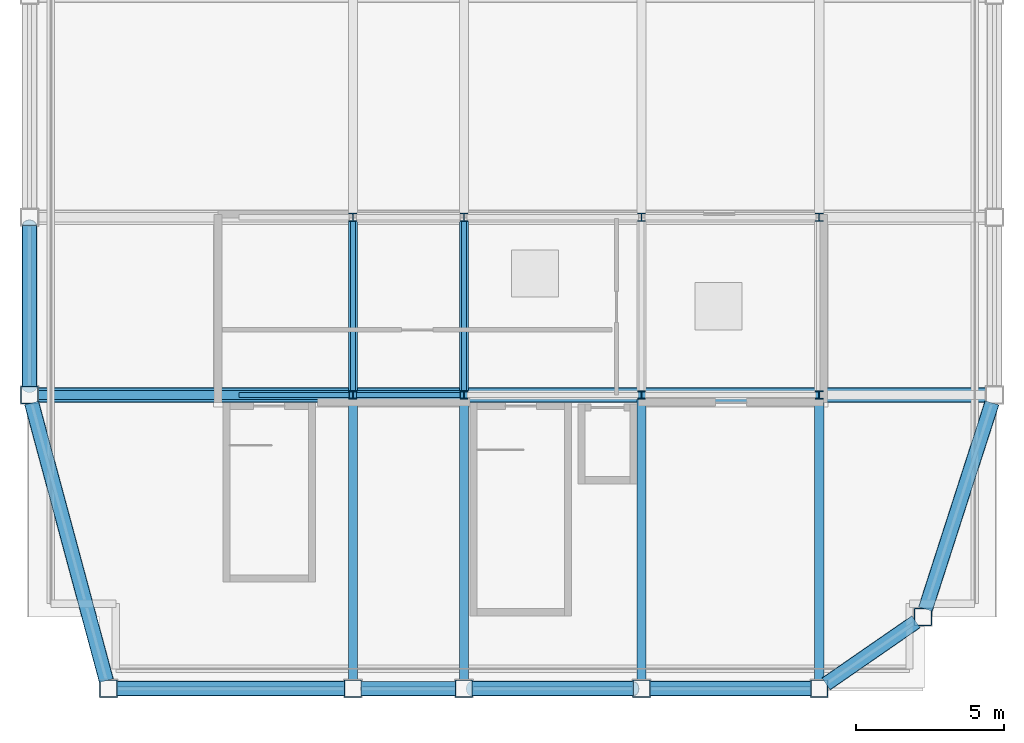
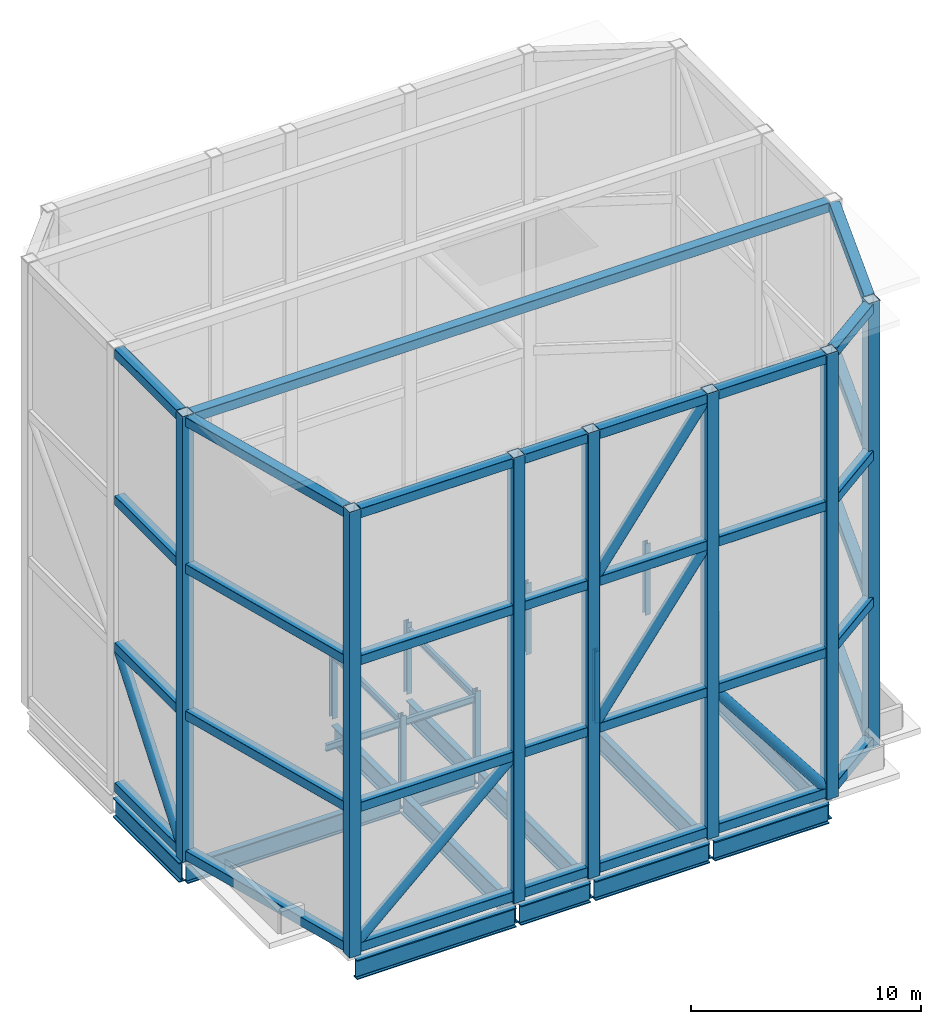
# One storey, part 1 of 6: 45 members, 17 beams, 8 columns.
"""IFC4 building model written with IfcOpenShell, lengths in metres."""

from ifc_helpers import new_model, si_unit, direction, frame, origin, origin_2d, place, context, subcontext, project, spatial, hollow_rectangle, hollow_circle, i_section, extrude, material, material_profile, profile_set, type_object, element, save


model = new_model("IFC4")

# Units and contexts
model_context = context("Model", 3, precision=1e-05, world=origin(), true_north=direction((0.0, 1.0)))
body_context = subcontext(model_context, "Body", "Model", "MODEL_VIEW")
ifc_project = project(units=[si_unit("LENGTHUNIT", "METRE"), si_unit("AREAUNIT", "SQUARE_METRE"), si_unit("VOLUMEUNIT", "CUBIC_METRE"), si_unit("PLANEANGLEUNIT", "RADIAN"), si_unit("MASSUNIT", "GRAM", prefix="KILO")], contexts=[model_context])

# Site, building, storey
site_placement = place(None, origin())
site = spatial("IfcSite", under=ifc_project, at=site_placement, CompositionType="ELEMENT")
building_placement = place(site_placement, origin())
building = spatial("IfcBuilding", under=site, at=building_placement, Name="Brevholm Reach", CompositionType="ELEMENT")
storey_placement = place(building_placement, frame((0.0, 0.0, 251.449951171875)))
storey = spatial("IfcBuildingStorey", under=building, at=storey_placement, Name="RF", CompositionType="ELEMENT", Elevation=251.449951171875)

# Columns
ifc_material_1 = material(Name="Structural Steel S355J2", Category="steel")
ifc_material_profile_1 = material_profile(ifc_material_1, i_section(OverallWidth=0.26123046875, OverallDepth=0.2763671875, WebThickness=0.015380859375, FlangeThickness=0.025390625, FilletRadius=0.0126953125, at=origin_2d()), Name="UKC 254x254x132")
ifc_profile_set_1 = profile_set([ifc_material_profile_1], Name="Structural Steel S355J2")
column_type = type_object("IfcColumnType", Name="COL-UC8", PredefinedType="COLUMN", material=ifc_profile_set_1)
for number, where, z_axis, x_axis, name in (
    (1, (38.25, 10.0, 0.0), (0.0, 0.0, 1.0), (1.0, 0.0, 0.0), "RF Column 01"),
    (2, (42.0, 10.0, 0.0), (0.0, 0.0, 1.0), (1.0, 0.0, 0.0), "RF Column 02"),
    (3, (48.0, 10.0, 0.0), (0.0, 0.0, 1.0), (1.0, 0.0, 0.0), "RF Column 03"),
    (4, (54.0, 10.0, 0.0), (0.0, 0.0, 1.0), (1.0, 0.0, 0.0), "RF Column 04"),
    (5, (38.25, 16.0, 0.0), (0.0, 0.0, 1.0), (1.0, 0.0, 0.0), "RF Column 05"),
    (6, (42.0, 16.0, 0.0), (0.0, 0.0, 1.0), (1.0, 0.0, 0.0), "RF Column 06"),
    (7, (48.0, 16.0, 0.0), (0.0, 0.0, 1.0), (1.0, 0.0, 0.0), "RF Column 07"),
    (8, (54.0, 16.0, 0.0), (0.0, 0.0, 1.0), (1.0, 0.0, 0.0), "RF Column 08"),
):
    element("IfcColumn", number, at=place(storey_placement, frame(where, z_axis=z_axis, x_axis=x_axis)), inside=storey, type_object=column_type, Name=name, PredefinedType="COLUMN", context=body_context, shape_type="SweptSolid", body=[
        extrude(i_section(OverallWidth=0.26123046875, OverallDepth=0.2763671875, WebThickness=0.015380859375, FlangeThickness=0.025390625, FilletRadius=0.0126953125, at=origin_2d()), origin(), (0.0, 0.0, 1.0), 3.800048828125),
    ])

# Beams
ifc_material_2 = material(Name="Structural Steel S355J2", Category="steel")
ifc_material_profile_2 = material_profile(ifc_material_2, i_section(OverallWidth=0.17138671875, OverallDepth=0.35498046875, WebThickness=0.00732421875, FlangeThickness=0.011474609375, FilletRadius=0.01025390625, at=origin_2d()), Name="UKB 356x171x51")
ifc_profile_set_2 = profile_set([ifc_material_profile_2], Name="Structural Steel S355J2")
beam_type_1 = type_object("IfcBeamType", Name="BM-B356", PredefinedType="BEAM", material=ifc_profile_set_2)
beam_1_placement = place(storey_placement, frame((34.39990234375, 10.0, 3.362548828125), z_axis=(1.0, 0.0, 0.0), x_axis=(0.0, 1.0, 0.0)))
element("IfcBeam", 9, at=beam_1_placement, inside=storey, type_object=beam_type_1, Name="RF Rooftop Plant House Roof Beam", PredefinedType="BEAM", context=body_context, shape_type="SweptSolid", body=[
    extrude(i_section(OverallWidth=0.17138671875, OverallDepth=0.35498046875, WebThickness=0.00732421875, FlangeThickness=0.011474609375, FilletRadius=0.01025390625, at=origin_2d()), origin(), (0.0, 0.0, 1.0), 3.72021484375),
])
beam_2_placement = place(storey_placement, frame((38.3798828125, 10.0, 3.362548828125), z_axis=(1.0, 0.0, 0.0), x_axis=(0.0, 1.0, 0.0)))
element("IfcBeam", 10, at=beam_2_placement, inside=storey, type_object=beam_type_1, Name="RF Rooftop Plant House Roof Beam", PredefinedType="BEAM", context=body_context, shape_type="SweptSolid", body=[
    extrude(i_section(OverallWidth=0.17138671875, OverallDepth=0.35498046875, WebThickness=0.00732421875, FlangeThickness=0.011474609375, FilletRadius=0.01025390625, at=origin_2d()), origin(), (0.0, 0.0, 1.0), 3.490234375),
])
for number, where, z_axis, x_axis, name in (
    (11, (38.25, 10.110107421875, 3.362548828125), (0.0, 1.0, 0.0), (-1.0, 0.0, 0.0), "RF Rooftop Plant House Transverse Beam"),
    (12, (42.0, 10.110107421875, 3.362548828125), (0.0, 1.0, 0.0), (-1.0, 0.0, 0.0), "RF Rooftop Plant House Transverse Beam"),
):
    element("IfcBeam", number, at=place(storey_placement, frame(where, z_axis=z_axis, x_axis=x_axis)), inside=storey, type_object=beam_type_1, Name=name, PredefinedType="BEAM", context=body_context, shape_type="SweptSolid", body=[
        extrude(i_section(OverallWidth=0.17138671875, OverallDepth=0.35498046875, WebThickness=0.00732421875, FlangeThickness=0.011474609375, FilletRadius=0.01025390625, at=origin_2d()), origin(), (0.0, 0.0, 1.0), 5.77978515625),
    ])
ifc_material_3 = material(Name="Structural Steel S460ML", Category="steel")
ifc_material_profile_3 = material_profile(ifc_material_3, i_section(OverallWidth=0.30859375, OverallDepth=1.036376953125, WebThickness=0.030029296875, FlangeThickness=0.05419921875, FilletRadius=0.030029296875, at=origin_2d()), Name="UKB 1016x305x487")
ifc_profile_set_3 = profile_set([ifc_material_profile_3], Name="Structural Steel S460ML")
beam_type_2 = type_object("IfcBeamType", Name="BM-UKB1016", PredefinedType="USERDEFINED", material=ifc_profile_set_3)
beam_3_placement = place(storey_placement, frame((30.1201171875, 0.0, -0.818115234375), z_axis=(1.0, 0.0, 0.0), x_axis=(0.0, 1.0, 0.0)))
element("IfcBeam", 13, at=beam_3_placement, inside=storey, type_object=beam_type_2, Name="RF G-01 Framing Beam", ObjectType="GIRDER", PredefinedType="USERDEFINED", context=body_context, shape_type="SweptSolid", body=[
    extrude(i_section(OverallWidth=0.30859375, OverallDepth=1.036376953125, WebThickness=0.030029296875, FlangeThickness=0.05419921875, FilletRadius=0.030029296875, at=origin_2d()), origin(), (0.0, 0.0, 1.0), 8.009765625),
])
beam_4_placement = place(storey_placement, frame((38.3701171875, 0.0, -0.818115234375), z_axis=(1.0, 0.0, 0.0), x_axis=(0.0, 1.0, 0.0)))
element("IfcBeam", 14, at=beam_4_placement, inside=storey, type_object=beam_type_2, Name="RF G-01 Framing Beam", ObjectType="GIRDER", PredefinedType="USERDEFINED", context=body_context, shape_type="SweptSolid", body=[
    extrude(i_section(OverallWidth=0.30859375, OverallDepth=1.036376953125, WebThickness=0.030029296875, FlangeThickness=0.05419921875, FilletRadius=0.030029296875, at=origin_2d()), origin(), (0.0, 0.0, 1.0), 3.509765625),
])
for number, where, z_axis, x_axis, name in (
    (15, (42.1201171875, 0.0, -0.818115234375), (1.0, 0.0, 0.0), (0.0, 1.0, 0.0), "RF G-01 Framing Beam"),
    (16, (48.1201171875, 0.0, -0.818115234375), (1.0, 0.0, 0.0), (0.0, 1.0, 0.0), "RF G-01 Framing Beam"),
):
    element("IfcBeam", number, at=place(storey_placement, frame(where, z_axis=z_axis, x_axis=x_axis)), inside=storey, type_object=beam_type_2, Name=name, ObjectType="GIRDER", PredefinedType="USERDEFINED", context=body_context, shape_type="SweptSolid", body=[
        extrude(i_section(OverallWidth=0.30859375, OverallDepth=1.036376953125, WebThickness=0.030029296875, FlangeThickness=0.05419921875, FilletRadius=0.030029296875, at=origin_2d()), origin(), (0.0, 0.0, 1.0), 5.759765625),
    ])
beam_5_placement = place(storey_placement, frame((27.3701171875, 10.0, -0.818115234375), z_axis=(1.0, 0.0, 0.0), x_axis=(0.0, 1.0, 0.0)))
element("IfcBeam", 17, at=beam_5_placement, inside=storey, type_object=beam_type_2, Name="RF G-01 Framing Beam", ObjectType="GIRDER", PredefinedType="USERDEFINED", context=body_context, shape_type="SweptSolid", body=[
    extrude(i_section(OverallWidth=0.30859375, OverallDepth=1.036376953125, WebThickness=0.030029296875, FlangeThickness=0.05419921875, FilletRadius=0.030029296875, at=origin_2d()), origin(), (0.0, 0.0, 1.0), 10.759765625),
])
beam_6_placement = place(storey_placement, frame((38.3701171875, 10.0, -0.818115234375), z_axis=(1.0, 0.0, 0.0), x_axis=(0.0, 1.0, 0.0)))
element("IfcBeam", 18, at=beam_6_placement, inside=storey, type_object=beam_type_2, Name="RF G-01 Framing Beam", ObjectType="GIRDER", PredefinedType="USERDEFINED", context=body_context, shape_type="SweptSolid", body=[
    extrude(i_section(OverallWidth=0.30859375, OverallDepth=1.036376953125, WebThickness=0.030029296875, FlangeThickness=0.05419921875, FilletRadius=0.030029296875, at=origin_2d()), origin(), (0.0, 0.0, 1.0), 3.509765625),
])
beam_7_placement = place(storey_placement, frame((27.25, 10.1201171875, -0.818115234375), z_axis=(0.0, 1.0, 0.0), x_axis=(-1.0, 0.0, 0.0)))
element("IfcBeam", 19, at=beam_7_placement, inside=storey, type_object=beam_type_2, Name="RF G-01 Framing Beam", ObjectType="GIRDER", PredefinedType="USERDEFINED", context=body_context, shape_type="SweptSolid", body=[
    extrude(i_section(OverallWidth=0.30859375, OverallDepth=1.036376953125, WebThickness=0.030029296875, FlangeThickness=0.05419921875, FilletRadius=0.030029296875, at=origin_2d()), origin(), (0.0, 0.0, 1.0), 5.759765625),
])
beam_8_placement = place(storey_placement, frame((38.25, 0.1201171875, -0.818115234375), z_axis=(0.0, 1.0, 0.0), x_axis=(-1.0, 0.0, 0.0)))
element("IfcBeam", 20, at=beam_8_placement, inside=storey, type_object=beam_type_2, Name="RF G-01 Framing Beam", ObjectType="GIRDER", PredefinedType="USERDEFINED", context=body_context, shape_type="SweptSolid", body=[
    extrude(i_section(OverallWidth=0.30859375, OverallDepth=1.036376953125, WebThickness=0.030029296875, FlangeThickness=0.05419921875, FilletRadius=0.030029296875, at=origin_2d()), origin(), (0.0, 0.0, 1.0), 9.759765625),
])
beam_9_placement = place(storey_placement, frame((38.25, 10.1201171875, -0.818115234375), z_axis=(0.0, 1.0, 0.0), x_axis=(-1.0, 0.0, 0.0)))
element("IfcBeam", 21, at=beam_9_placement, inside=storey, type_object=beam_type_2, Name="RF G-01 Framing Beam", ObjectType="GIRDER", PredefinedType="USERDEFINED", context=body_context, shape_type="SweptSolid", body=[
    extrude(i_section(OverallWidth=0.30859375, OverallDepth=1.036376953125, WebThickness=0.030029296875, FlangeThickness=0.05419921875, FilletRadius=0.030029296875, at=origin_2d()), origin(), (0.0, 0.0, 1.0), 5.759765625),
])
beam_10_placement = place(storey_placement, frame((42.0, 0.1201171875, -0.818115234375), z_axis=(0.0, 1.0, 0.0), x_axis=(-1.0, 0.0, 0.0)))
element("IfcBeam", 22, at=beam_10_placement, inside=storey, type_object=beam_type_2, Name="RF G-01 Framing Beam", ObjectType="GIRDER", PredefinedType="USERDEFINED", context=body_context, shape_type="SweptSolid", body=[
    extrude(i_section(OverallWidth=0.30859375, OverallDepth=1.036376953125, WebThickness=0.030029296875, FlangeThickness=0.05419921875, FilletRadius=0.030029296875, at=origin_2d()), origin(), (0.0, 0.0, 1.0), 9.759765625),
])
beam_11_placement = place(storey_placement, frame((42.0, 10.1201171875, -0.818115234375), z_axis=(0.0, 1.0, 0.0), x_axis=(-1.0, 0.0, 0.0)))
element("IfcBeam", 23, at=beam_11_placement, inside=storey, type_object=beam_type_2, Name="RF G-01 Framing Beam", ObjectType="GIRDER", PredefinedType="USERDEFINED", context=body_context, shape_type="SweptSolid", body=[
    extrude(i_section(OverallWidth=0.30859375, OverallDepth=1.036376953125, WebThickness=0.030029296875, FlangeThickness=0.05419921875, FilletRadius=0.030029296875, at=origin_2d()), origin(), (0.0, 0.0, 1.0), 5.759765625),
])
for number, where, z_axis, x_axis, name in (
    (24, (48.0, 0.1201171875, -0.818115234375), (0.0, 1.0, 0.0), (-1.0, 0.0, 0.0), "RF G-01 Framing Beam"),
    (25, (54.0, 0.1201171875, -0.818115234375), (0.0, 1.0, 0.0), (-1.0, 0.0, 0.0), "RF G-01 Framing Beam"),
):
    element("IfcBeam", number, at=place(storey_placement, frame(where, z_axis=z_axis, x_axis=x_axis)), inside=storey, type_object=beam_type_2, Name=name, ObjectType="GIRDER", PredefinedType="USERDEFINED", context=body_context, shape_type="SweptSolid", body=[
        extrude(i_section(OverallWidth=0.30859375, OverallDepth=1.036376953125, WebThickness=0.030029296875, FlangeThickness=0.05419921875, FilletRadius=0.030029296875, at=origin_2d()), origin(), (0.0, 0.0, 1.0), 9.759765625),
    ])

# Members
ifc_material_4 = material(Name="Structural Steel S460NH", Category="steel")
ifc_material_profile_4 = material_profile(ifc_material_4, hollow_circle(Radius=0.25390625, WallThickness=0.02490234375, at=origin_2d()), Name="CHS 508x25")
ifc_profile_set_4 = profile_set([ifc_material_profile_4], Name="Structural Steel S460NH")
member_type_1 = type_object("IfcMemberType", Name="CROWN FRAME Brace CHS 508", PredefinedType="BRACE", material=ifc_profile_set_4)
member_1_placement = place(storey_placement, frame((30.280029296875, 0.080078125, 0.580078125), z_axis=(0.739981530171, 0.0, 0.672627188721), x_axis=(0.0, 1.0, 0.0)))
element("IfcMember", 26, at=member_1_placement, inside=storey, type_object=member_type_1, Name="CROWN FRAME Wind Brace CFB-01", PredefinedType="BRACE", context=body_context, shape_type="SweptSolid", body=[
    extrude(hollow_circle(Radius=0.25390625, WallThickness=0.02490234375, at=origin_2d()), origin(), (0.0, 0.0, 1.0), 10.39208984375),
])
member_2_placement = place(storey_placement, frame((48.280029296875, 0.080078125, 7.570068359375), z_axis=(0.614171485161, 0.0, -0.78917259634), x_axis=(0.0, 1.0, 0.0)))
element("IfcMember", 27, at=member_2_placement, inside=storey, type_object=member_type_1, Name="CROWN FRAME Wind Brace CFB-02", PredefinedType="BRACE", context=body_context, shape_type="SweptSolid", body=[
    extrude(hollow_circle(Radius=0.25390625, WallThickness=0.02490234375, at=origin_2d()), origin(), (0.0, 0.0, 1.0), 8.857421875),
])
member_3_placement = place(storey_placement, frame((42.280029296875, 0.080078125, 8.030029296875), z_axis=(0.595428198484, 0.0, 0.803408526498), x_axis=(0.0, 1.0, 0.0)))
element("IfcMember", 28, at=member_3_placement, inside=storey, type_object=member_type_1, Name="CROWN FRAME Wind Brace CFB-03", PredefinedType="BRACE", context=body_context, shape_type="SweptSolid", body=[
    extrude(hollow_circle(Radius=0.25390625, WallThickness=0.02490234375, at=origin_2d()), origin(), (0.0, 0.0, 1.0), 9.13623046875),
])
member_4_placement = place(storey_placement, frame((42.280029296875, 0.080078125, 15.830078125), z_axis=(0.59491718719, 0.0, 0.803786999388), x_axis=(0.0, 1.0, 0.0)))
element("IfcMember", 29, at=member_4_placement, inside=storey, type_object=member_type_1, Name="CROWN FRAME Wind Brace CFB-04", PredefinedType="BRACE", context=body_context, shape_type="SweptSolid", body=[
    extrude(hollow_circle(Radius=0.25390625, WallThickness=0.02490234375, at=origin_2d()), origin(), (0.0, 0.0, 1.0), 9.14404296875),
])
member_5_placement = place(storey_placement, frame((27.330078125, 10.280029296875, 0.580078125), z_axis=(0.0, 0.614171485161, 0.78917259634), x_axis=(-1.0, 0.0, 0.0)))
element("IfcMember", 30, at=member_5_placement, inside=storey, type_object=member_type_1, Name="CROWN FRAME Wind Brace CFB-11", PredefinedType="BRACE", context=body_context, shape_type="SweptSolid", body=[
    extrude(hollow_circle(Radius=0.25390625, WallThickness=0.02490234375, at=origin_2d()), origin(), (0.0, 0.0, 1.0), 8.857421875),
])
ifc_material_5 = material(Name="Structural Steel S460NH", Category="steel")
ifc_material_profile_5 = material_profile(ifc_material_5, hollow_rectangle(XDim=0.60009765625, YDim=0.60009765625, WallThickness=0.031982421875, InnerFilletRadius=0.011962890625, OuterFilletRadius=0.02392578125, at=origin_2d()), Name="SHS 600x600x32")
ifc_profile_set_5 = profile_set([ifc_material_profile_5], Name="Structural Steel S460NH")
member_type_2 = type_object("IfcMemberType", Name="CROWN FRAME Post SHS 600", PredefinedType="STRUT", material=ifc_profile_set_5)
for number, where, z_axis, x_axis, name in (
    (31, (30.0, 0.080078125, 0.0), (0.0, 0.0, 1.0), (1.0, 0.0, 0.0), "CROWN FRAME Vertical Post CFP-01"),
    (32, (38.25, 0.080078125, 0.0), (0.0, 0.0, 1.0), (1.0, 0.0, 0.0), "CROWN FRAME Vertical Post CFP-02"),
    (33, (42.0, 0.080078125, 0.0), (0.0, 0.0, 1.0), (1.0, 0.0, 0.0), "CROWN FRAME Vertical Post CFP-03"),
    (34, (48.0, 0.080078125, 0.0), (0.0, 0.0, 1.0), (1.0, 0.0, 0.0), "CROWN FRAME Vertical Post CFP-04"),
    (35, (54.0, 0.080078125, 0.0), (0.0, 0.0, 1.0), (1.0, 0.0, 0.0), "CROWN FRAME Vertical Post CFP-05"),
    (36, (57.5, 2.5, 0.0), (0.0, 0.0, 1.0), (1.0, 0.0, 0.0), "CROWN FRAME Vertical Post CFP-06"),
    (37, (27.330078125, 10.0, 0.0), (0.0, 0.0, 1.0), (1.0, 0.0, 0.0), "CROWN FRAME Vertical Post CFP-17"),
):
    element("IfcMember", number, at=place(storey_placement, frame(where, z_axis=z_axis, x_axis=x_axis)), inside=storey, type_object=member_type_2, Name=name, PredefinedType="STRUT", context=body_context, shape_type="SweptSolid", body=[
        extrude(hollow_rectangle(XDim=0.60009765625, YDim=0.60009765625, WallThickness=0.031982421875, InnerFilletRadius=0.011962890625, OuterFilletRadius=0.02392578125, at=origin_2d()), origin(), (0.0, 0.0, 1.0), 23.68994140625),
    ])
ifc_material_6 = material(Name="Structural Steel S460NH", Category="steel")
ifc_material_profile_6 = material_profile(ifc_material_6, hollow_rectangle(XDim=0.5, YDim=0.5, WallThickness=0.02490234375, InnerFilletRadius=0.011962890625, OuterFilletRadius=0.02392578125, at=origin_2d()), Name="SHS 500x500x25")
ifc_profile_set_6 = profile_set([ifc_material_profile_6], Name="Structural Steel S460NH")
member_type_3 = type_object("IfcMemberType", Name="CROWN FRAME Ring SHS 500", PredefinedType="CHORD", material=ifc_profile_set_6)
member_6_placement = place(storey_placement, frame((30.280029296875, 0.080078125, 0.35009765625), z_axis=(1.0, 0.0, 0.0), x_axis=(0.0, 1.0, 0.0)))
element("IfcMember", 38, at=member_6_placement, inside=storey, type_object=member_type_3, Name="CROWN FRAME Ring Chord T0-01", PredefinedType="CHORD", context=body_context, shape_type="SweptSolid", body=[
    extrude(hollow_rectangle(XDim=0.5, YDim=0.5, WallThickness=0.02490234375, InnerFilletRadius=0.011962890625, OuterFilletRadius=0.02392578125, at=origin_2d()), origin(), (0.0, 0.0, 1.0), 7.68994140625),
])
member_7_placement = place(storey_placement, frame((38.530029296875, 0.080078125, 0.35009765625), z_axis=(1.0, 0.0, 0.0), x_axis=(0.0, 1.0, 0.0)))
element("IfcMember", 39, at=member_7_placement, inside=storey, type_object=member_type_3, Name="CROWN FRAME Ring Chord T0-02", PredefinedType="CHORD", context=body_context, shape_type="SweptSolid", body=[
    extrude(hollow_rectangle(XDim=0.5, YDim=0.5, WallThickness=0.02490234375, InnerFilletRadius=0.011962890625, OuterFilletRadius=0.02392578125, at=origin_2d()), origin(), (0.0, 0.0, 1.0), 3.18994140625),
])
for number, where, z_axis, x_axis, name in (
    (40, (42.280029296875, 0.080078125, 0.35009765625), (1.0, 0.0, 0.0), (0.0, 1.0, 0.0), "CROWN FRAME Ring Chord T0-03"),
    (41, (48.280029296875, 0.080078125, 0.35009765625), (1.0, 0.0, 0.0), (0.0, 1.0, 0.0), "CROWN FRAME Ring Chord T0-04"),
):
    element("IfcMember", number, at=place(storey_placement, frame(where, z_axis=z_axis, x_axis=x_axis)), inside=storey, type_object=member_type_3, Name=name, PredefinedType="CHORD", context=body_context, shape_type="SweptSolid", body=[
        extrude(hollow_rectangle(XDim=0.5, YDim=0.5, WallThickness=0.02490234375, InnerFilletRadius=0.011962890625, OuterFilletRadius=0.02392578125, at=origin_2d()), origin(), (0.0, 0.0, 1.0), 5.43994140625),
    ])
member_8_placement = place(storey_placement, frame((54.230224609375, 0.2392578125, 0.35009765625), z_axis=(0.822539288968, 0.568708289111, 0.0), x_axis=(-0.568708289111, 0.822539288968, 0.0)))
element("IfcMember", 42, at=member_8_placement, inside=storey, type_object=member_type_3, Name="CROWN FRAME Ring Chord T0-05", PredefinedType="CHORD", context=body_context, shape_type="SweptSolid", body=[
    extrude(hollow_rectangle(XDim=0.5, YDim=0.5, WallThickness=0.02490234375, InnerFilletRadius=0.011962890625, OuterFilletRadius=0.02392578125, at=origin_2d()), origin(), (0.0, 0.0, 1.0), 3.6953125),
])
member_9_placement = place(storey_placement, frame((57.5859375, 2.7666015625, 0.35009765625), z_axis=(0.307088527321, 0.951680953045, 0.0), x_axis=(-0.951680953045, 0.307088527321, 0.0)))
element("IfcMember", 43, at=member_9_placement, inside=storey, type_object=member_type_3, Name="CROWN FRAME Ring Chord T0-06", PredefinedType="CHORD", context=body_context, shape_type="SweptSolid", body=[
    extrude(hollow_rectangle(XDim=0.5, YDim=0.5, WallThickness=0.02490234375, InnerFilletRadius=0.011962890625, OuterFilletRadius=0.02392578125, at=origin_2d()), origin(), (0.0, 0.0, 1.0), 7.320556640625),
])
member_10_placement = place(storey_placement, frame((27.330078125, 15.719970703125, 0.35009765625), z_axis=(0.0, -1.0, 0.0), x_axis=(1.0, 0.0, 0.0)))
element("IfcMember", 44, at=member_10_placement, inside=storey, type_object=member_type_3, Name="CROWN FRAME Ring Chord T0-16", PredefinedType="CHORD", context=body_context, shape_type="SweptSolid", body=[
    extrude(hollow_rectangle(XDim=0.5, YDim=0.5, WallThickness=0.02490234375, InnerFilletRadius=0.011962890625, OuterFilletRadius=0.02392578125, at=origin_2d()), origin(), (0.0, 0.0, 1.0), 5.43994140625),
])
member_11_placement = place(storey_placement, frame((27.40283203125, 9.7294921875, 0.35009765625), z_axis=(0.259902260943, -0.965634928302, 0.0), x_axis=(0.965634928302, 0.259902260943, 0.0)))
element("IfcMember", 45, at=member_11_placement, inside=storey, type_object=member_type_3, Name="CROWN FRAME Ring Chord T0-17", PredefinedType="CHORD", context=body_context, shape_type="SweptSolid", body=[
    extrude(hollow_rectangle(XDim=0.5, YDim=0.5, WallThickness=0.02490234375, InnerFilletRadius=0.011962890625, OuterFilletRadius=0.02392578125, at=origin_2d()), origin(), (0.0, 0.0, 1.0), 9.712890625),
])
member_12_placement = place(storey_placement, frame((30.280029296875, 0.080078125, 7.800048828125), z_axis=(1.0, 0.0, 0.0), x_axis=(0.0, 1.0, 0.0)))
element("IfcMember", 46, at=member_12_placement, inside=storey, type_object=member_type_3, Name="CROWN FRAME Ring Chord T1-01", PredefinedType="CHORD", context=body_context, shape_type="SweptSolid", body=[
    extrude(hollow_rectangle(XDim=0.5, YDim=0.5, WallThickness=0.02490234375, InnerFilletRadius=0.011962890625, OuterFilletRadius=0.02392578125, at=origin_2d()), origin(), (0.0, 0.0, 1.0), 7.68994140625),
])
member_13_placement = place(storey_placement, frame((38.530029296875, 0.080078125, 7.800048828125), z_axis=(1.0, 0.0, 0.0), x_axis=(0.0, 1.0, 0.0)))
element("IfcMember", 47, at=member_13_placement, inside=storey, type_object=member_type_3, Name="CROWN FRAME Ring Chord T1-02", PredefinedType="CHORD", context=body_context, shape_type="SweptSolid", body=[
    extrude(hollow_rectangle(XDim=0.5, YDim=0.5, WallThickness=0.02490234375, InnerFilletRadius=0.011962890625, OuterFilletRadius=0.02392578125, at=origin_2d()), origin(), (0.0, 0.0, 1.0), 3.18994140625),
])
for number, where, z_axis, x_axis, name in (
    (48, (42.280029296875, 0.080078125, 7.800048828125), (1.0, 0.0, 0.0), (0.0, 1.0, 0.0), "CROWN FRAME Ring Chord T1-03"),
    (49, (48.280029296875, 0.080078125, 7.800048828125), (1.0, 0.0, 0.0), (0.0, 1.0, 0.0), "CROWN FRAME Ring Chord T1-04"),
):
    element("IfcMember", number, at=place(storey_placement, frame(where, z_axis=z_axis, x_axis=x_axis)), inside=storey, type_object=member_type_3, Name=name, PredefinedType="CHORD", context=body_context, shape_type="SweptSolid", body=[
        extrude(hollow_rectangle(XDim=0.5, YDim=0.5, WallThickness=0.02490234375, InnerFilletRadius=0.011962890625, OuterFilletRadius=0.02392578125, at=origin_2d()), origin(), (0.0, 0.0, 1.0), 5.43994140625),
    ])
member_14_placement = place(storey_placement, frame((54.230224609375, 0.2392578125, 7.800048828125), z_axis=(0.822539288968, 0.568708289111, 0.0), x_axis=(-0.568708289111, 0.822539288968, 0.0)))
element("IfcMember", 50, at=member_14_placement, inside=storey, type_object=member_type_3, Name="CROWN FRAME Ring Chord T1-05", PredefinedType="CHORD", context=body_context, shape_type="SweptSolid", body=[
    extrude(hollow_rectangle(XDim=0.5, YDim=0.5, WallThickness=0.02490234375, InnerFilletRadius=0.011962890625, OuterFilletRadius=0.02392578125, at=origin_2d()), origin(), (0.0, 0.0, 1.0), 3.6953125),
])
member_15_placement = place(storey_placement, frame((57.5859375, 2.7666015625, 7.800048828125), z_axis=(0.307088527321, 0.951680953045, 0.0), x_axis=(-0.951680953045, 0.307088527321, 0.0)))
element("IfcMember", 51, at=member_15_placement, inside=storey, type_object=member_type_3, Name="CROWN FRAME Ring Chord T1-06", PredefinedType="CHORD", context=body_context, shape_type="SweptSolid", body=[
    extrude(hollow_rectangle(XDim=0.5, YDim=0.5, WallThickness=0.02490234375, InnerFilletRadius=0.011962890625, OuterFilletRadius=0.02392578125, at=origin_2d()), origin(), (0.0, 0.0, 1.0), 7.320556640625),
])
member_16_placement = place(storey_placement, frame((27.330078125, 15.719970703125, 7.800048828125), z_axis=(0.0, -1.0, 0.0), x_axis=(1.0, 0.0, 0.0)))
element("IfcMember", 52, at=member_16_placement, inside=storey, type_object=member_type_3, Name="CROWN FRAME Ring Chord T1-16", PredefinedType="CHORD", context=body_context, shape_type="SweptSolid", body=[
    extrude(hollow_rectangle(XDim=0.5, YDim=0.5, WallThickness=0.02490234375, InnerFilletRadius=0.011962890625, OuterFilletRadius=0.02392578125, at=origin_2d()), origin(), (0.0, 0.0, 1.0), 5.43994140625),
])
member_17_placement = place(storey_placement, frame((27.40283203125, 9.7294921875, 7.800048828125), z_axis=(0.259902260943, -0.965634928302, 0.0), x_axis=(0.965634928302, 0.259902260943, 0.0)))
element("IfcMember", 53, at=member_17_placement, inside=storey, type_object=member_type_3, Name="CROWN FRAME Ring Chord T1-17", PredefinedType="CHORD", context=body_context, shape_type="SweptSolid", body=[
    extrude(hollow_rectangle(XDim=0.5, YDim=0.5, WallThickness=0.02490234375, InnerFilletRadius=0.011962890625, OuterFilletRadius=0.02392578125, at=origin_2d()), origin(), (0.0, 0.0, 1.0), 9.712890625),
])
member_18_placement = place(storey_placement, frame((30.280029296875, 0.080078125, 15.60009765625), z_axis=(1.0, 0.0, 0.0), x_axis=(0.0, 1.0, 0.0)))
element("IfcMember", 54, at=member_18_placement, inside=storey, type_object=member_type_3, Name="CROWN FRAME Ring Chord T2-01", PredefinedType="CHORD", context=body_context, shape_type="SweptSolid", body=[
    extrude(hollow_rectangle(XDim=0.5, YDim=0.5, WallThickness=0.02490234375, InnerFilletRadius=0.011962890625, OuterFilletRadius=0.02392578125, at=origin_2d()), origin(), (0.0, 0.0, 1.0), 7.68994140625),
])
member_19_placement = place(storey_placement, frame((38.530029296875, 0.080078125, 15.60009765625), z_axis=(1.0, 0.0, 0.0), x_axis=(0.0, 1.0, 0.0)))
element("IfcMember", 55, at=member_19_placement, inside=storey, type_object=member_type_3, Name="CROWN FRAME Ring Chord T2-02", PredefinedType="CHORD", context=body_context, shape_type="SweptSolid", body=[
    extrude(hollow_rectangle(XDim=0.5, YDim=0.5, WallThickness=0.02490234375, InnerFilletRadius=0.011962890625, OuterFilletRadius=0.02392578125, at=origin_2d()), origin(), (0.0, 0.0, 1.0), 3.18994140625),
])
for number, where, z_axis, x_axis, name in (
    (56, (42.280029296875, 0.080078125, 15.60009765625), (1.0, 0.0, 0.0), (0.0, 1.0, 0.0), "CROWN FRAME Ring Chord T2-03"),
    (57, (48.280029296875, 0.080078125, 15.60009765625), (1.0, 0.0, 0.0), (0.0, 1.0, 0.0), "CROWN FRAME Ring Chord T2-04"),
):
    element("IfcMember", number, at=place(storey_placement, frame(where, z_axis=z_axis, x_axis=x_axis)), inside=storey, type_object=member_type_3, Name=name, PredefinedType="CHORD", context=body_context, shape_type="SweptSolid", body=[
        extrude(hollow_rectangle(XDim=0.5, YDim=0.5, WallThickness=0.02490234375, InnerFilletRadius=0.011962890625, OuterFilletRadius=0.02392578125, at=origin_2d()), origin(), (0.0, 0.0, 1.0), 5.43994140625),
    ])
member_20_placement = place(storey_placement, frame((54.230224609375, 0.2392578125, 15.60009765625), z_axis=(0.822539288968, 0.568708289111, 0.0), x_axis=(-0.568708289111, 0.822539288968, 0.0)))
element("IfcMember", 58, at=member_20_placement, inside=storey, type_object=member_type_3, Name="CROWN FRAME Ring Chord T2-05", PredefinedType="CHORD", context=body_context, shape_type="SweptSolid", body=[
    extrude(hollow_rectangle(XDim=0.5, YDim=0.5, WallThickness=0.02490234375, InnerFilletRadius=0.011962890625, OuterFilletRadius=0.02392578125, at=origin_2d()), origin(), (0.0, 0.0, 1.0), 3.6953125),
])
member_21_placement = place(storey_placement, frame((57.5859375, 2.7666015625, 15.60009765625), z_axis=(0.307088527321, 0.951680953045, 0.0), x_axis=(-0.951680953045, 0.307088527321, 0.0)))
element("IfcMember", 59, at=member_21_placement, inside=storey, type_object=member_type_3, Name="CROWN FRAME Ring Chord T2-06", PredefinedType="CHORD", context=body_context, shape_type="SweptSolid", body=[
    extrude(hollow_rectangle(XDim=0.5, YDim=0.5, WallThickness=0.02490234375, InnerFilletRadius=0.011962890625, OuterFilletRadius=0.02392578125, at=origin_2d()), origin(), (0.0, 0.0, 1.0), 7.320556640625),
])
member_22_placement = place(storey_placement, frame((27.330078125, 15.719970703125, 15.60009765625), z_axis=(0.0, -1.0, 0.0), x_axis=(1.0, 0.0, 0.0)))
element("IfcMember", 60, at=member_22_placement, inside=storey, type_object=member_type_3, Name="CROWN FRAME Ring Chord T2-16", PredefinedType="CHORD", context=body_context, shape_type="SweptSolid", body=[
    extrude(hollow_rectangle(XDim=0.5, YDim=0.5, WallThickness=0.02490234375, InnerFilletRadius=0.011962890625, OuterFilletRadius=0.02392578125, at=origin_2d()), origin(), (0.0, 0.0, 1.0), 5.43994140625),
])
member_23_placement = place(storey_placement, frame((27.40283203125, 9.7294921875, 15.60009765625), z_axis=(0.259902260943, -0.965634928302, 0.0), x_axis=(0.965634928302, 0.259902260943, 0.0)))
element("IfcMember", 61, at=member_23_placement, inside=storey, type_object=member_type_3, Name="CROWN FRAME Ring Chord T2-17", PredefinedType="CHORD", context=body_context, shape_type="SweptSolid", body=[
    extrude(hollow_rectangle(XDim=0.5, YDim=0.5, WallThickness=0.02490234375, InnerFilletRadius=0.011962890625, OuterFilletRadius=0.02392578125, at=origin_2d()), origin(), (0.0, 0.0, 1.0), 9.712890625),
])
member_24_placement = place(storey_placement, frame((30.280029296875, 0.080078125, 23.41015625), z_axis=(1.0, 0.0, 0.0), x_axis=(0.0, 1.0, 0.0)))
element("IfcMember", 62, at=member_24_placement, inside=storey, type_object=member_type_3, Name="CROWN FRAME Ring Chord T3-01", PredefinedType="CHORD", context=body_context, shape_type="SweptSolid", body=[
    extrude(hollow_rectangle(XDim=0.5, YDim=0.5, WallThickness=0.02490234375, InnerFilletRadius=0.011962890625, OuterFilletRadius=0.02392578125, at=origin_2d()), origin(), (0.0, 0.0, 1.0), 7.68994140625),
])
member_25_placement = place(storey_placement, frame((38.530029296875, 0.080078125, 23.41015625), z_axis=(1.0, 0.0, 0.0), x_axis=(0.0, 1.0, 0.0)))
element("IfcMember", 63, at=member_25_placement, inside=storey, type_object=member_type_3, Name="CROWN FRAME Ring Chord T3-02", PredefinedType="CHORD", context=body_context, shape_type="SweptSolid", body=[
    extrude(hollow_rectangle(XDim=0.5, YDim=0.5, WallThickness=0.02490234375, InnerFilletRadius=0.011962890625, OuterFilletRadius=0.02392578125, at=origin_2d()), origin(), (0.0, 0.0, 1.0), 3.18994140625),
])
for number, where, z_axis, x_axis, name in (
    (64, (42.280029296875, 0.080078125, 23.41015625), (1.0, 0.0, 0.0), (0.0, 1.0, 0.0), "CROWN FRAME Ring Chord T3-03"),
    (65, (48.280029296875, 0.080078125, 23.41015625), (1.0, 0.0, 0.0), (0.0, 1.0, 0.0), "CROWN FRAME Ring Chord T3-04"),
):
    element("IfcMember", number, at=place(storey_placement, frame(where, z_axis=z_axis, x_axis=x_axis)), inside=storey, type_object=member_type_3, Name=name, PredefinedType="CHORD", context=body_context, shape_type="SweptSolid", body=[
        extrude(hollow_rectangle(XDim=0.5, YDim=0.5, WallThickness=0.02490234375, InnerFilletRadius=0.011962890625, OuterFilletRadius=0.02392578125, at=origin_2d()), origin(), (0.0, 0.0, 1.0), 5.43994140625),
    ])
member_26_placement = place(storey_placement, frame((54.230224609375, 0.2392578125, 23.41015625), z_axis=(0.822539288968, 0.568708289111, 0.0), x_axis=(-0.568708289111, 0.822539288968, 0.0)))
element("IfcMember", 66, at=member_26_placement, inside=storey, type_object=member_type_3, Name="CROWN FRAME Ring Chord T3-05", PredefinedType="CHORD", context=body_context, shape_type="SweptSolid", body=[
    extrude(hollow_rectangle(XDim=0.5, YDim=0.5, WallThickness=0.02490234375, InnerFilletRadius=0.011962890625, OuterFilletRadius=0.02392578125, at=origin_2d()), origin(), (0.0, 0.0, 1.0), 3.6953125),
])
member_27_placement = place(storey_placement, frame((57.5859375, 2.7666015625, 23.41015625), z_axis=(0.307088527321, 0.951680953045, 0.0), x_axis=(-0.951680953045, 0.307088527321, 0.0)))
element("IfcMember", 67, at=member_27_placement, inside=storey, type_object=member_type_3, Name="CROWN FRAME Ring Chord T3-06", PredefinedType="CHORD", context=body_context, shape_type="SweptSolid", body=[
    extrude(hollow_rectangle(XDim=0.5, YDim=0.5, WallThickness=0.02490234375, InnerFilletRadius=0.011962890625, OuterFilletRadius=0.02392578125, at=origin_2d()), origin(), (0.0, 0.0, 1.0), 7.320556640625),
])
member_28_placement = place(storey_placement, frame((27.330078125, 15.719970703125, 23.41015625), z_axis=(0.0, -1.0, 0.0), x_axis=(1.0, 0.0, 0.0)))
element("IfcMember", 68, at=member_28_placement, inside=storey, type_object=member_type_3, Name="CROWN FRAME Ring Chord T3-16", PredefinedType="CHORD", context=body_context, shape_type="SweptSolid", body=[
    extrude(hollow_rectangle(XDim=0.5, YDim=0.5, WallThickness=0.02490234375, InnerFilletRadius=0.011962890625, OuterFilletRadius=0.02392578125, at=origin_2d()), origin(), (0.0, 0.0, 1.0), 5.43994140625),
])
member_29_placement = place(storey_placement, frame((27.40283203125, 9.7294921875, 23.41015625), z_axis=(0.259902260943, -0.965634928302, 0.0), x_axis=(0.965634928302, 0.259902260943, 0.0)))
element("IfcMember", 69, at=member_29_placement, inside=storey, type_object=member_type_3, Name="CROWN FRAME Ring Chord T3-17", PredefinedType="CHORD", context=body_context, shape_type="SweptSolid", body=[
    extrude(hollow_rectangle(XDim=0.5, YDim=0.5, WallThickness=0.02490234375, InnerFilletRadius=0.011962890625, OuterFilletRadius=0.02392578125, at=origin_2d()), origin(), (0.0, 0.0, 1.0), 9.712890625),
])
member_30_placement = place(storey_placement, frame((27.610107421875, 10.0, 23.41015625), z_axis=(1.0, 0.0, 0.0), x_axis=(0.0, 1.0, 0.0)))
element("IfcMember", 70, at=member_30_placement, inside=storey, type_object=member_type_3, Name="CROWN FRAME Roof Support Tie 1", PredefinedType="CHORD", context=body_context, shape_type="SweptSolid", body=[
    extrude(hollow_rectangle(XDim=0.5, YDim=0.5, WallThickness=0.02490234375, InnerFilletRadius=0.011962890625, OuterFilletRadius=0.02392578125, at=origin_2d()), origin(), (0.0, 0.0, 1.0), 32.02978515625),
])

save(model, "model.ifc")
